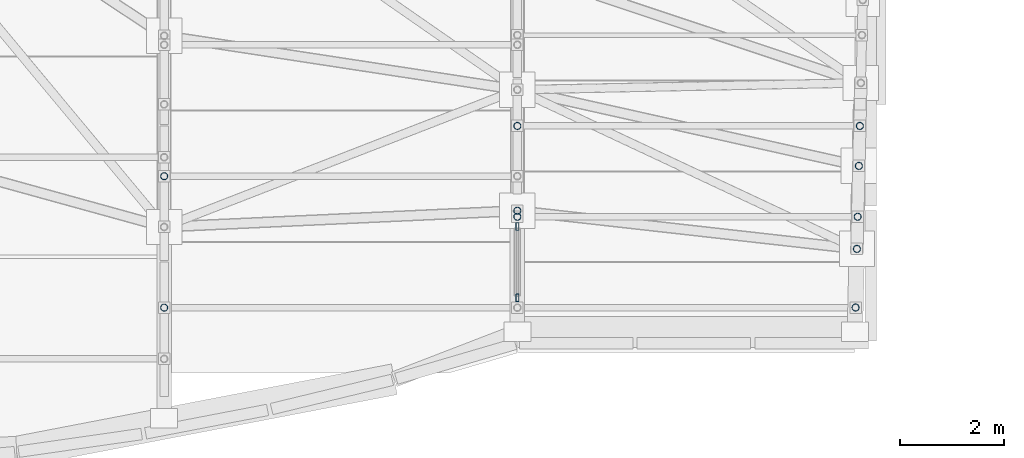
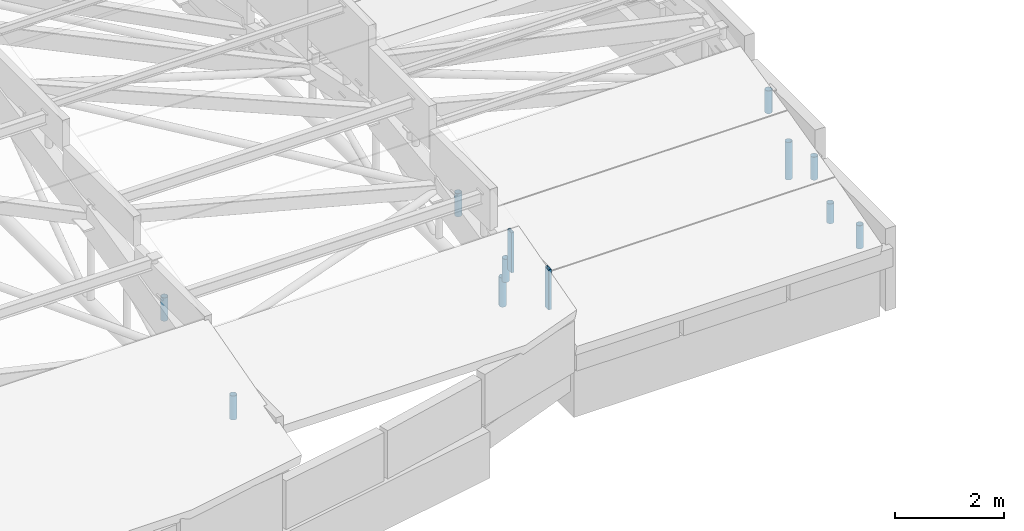
# One storey, part 132 of 188: 12 members, 1 element without a shape of its own.
"""IFC4 building model written with IfcOpenShell, lengths in metres."""

from ifc_helpers import new_model, si_unit, direction, frame, origin, origin_2d, place, context, subcontext, project, spatial, hollow_rectangle, hollow_circle, extrude, material, layer, layer_set, material_profile, profile_set, type_object, element, aggregate, save


model = new_model("IFC4")

# Units and contexts
model_context = context("Model", 3, precision=1e-05, world=origin(), true_north=direction((0.0, 1.0)))
body_context = subcontext(model_context, "Body", "Model", "MODEL_VIEW")
ifc_project = project(units=[si_unit("LENGTHUNIT", "METRE"), si_unit("AREAUNIT", "SQUARE_METRE"), si_unit("VOLUMEUNIT", "CUBIC_METRE"), si_unit("PLANEANGLEUNIT", "RADIAN"), si_unit("MASSUNIT", "GRAM", prefix="KILO")], contexts=[model_context])

# Site, building, storey
site_placement = place(None, origin())
site = spatial("IfcSite", under=ifc_project, at=site_placement, CompositionType="ELEMENT")
building_placement = place(site_placement, origin())
building = spatial("IfcBuilding", under=site, at=building_placement, Name="Kisaragi Civic Commons", CompositionType="ELEMENT")
storey_placement = place(building_placement, frame((0.0, 0.0, 9.60009765625)))
storey = spatial("IfcBuildingStorey", under=building, at=storey_placement, Name="L02", CompositionType="ELEMENT", Elevation=9.60009765625)

# Curtain wall, members
ifc_material_1 = material(Name="Thermally broken anodized aluminium and low-E double glazing", Category="aluminium")
ifc_layer = layer(ifc_material_1, 0.14990234375, Name="Thermally broken anodized aluminium and low-E double glazing", Category="aluminium")
ifc_layer_set = layer_set([ifc_layer], Name="Thermally broken anodized aluminium and low-E double glazing")
curtain_wall_type = type_object("IfcCurtainWallType", Name="CW-03", PredefinedType="NOTDEFINED", material=ifc_layer_set)
curtain_wall_placement = place(storey_placement, origin())
curtain_wall = element("IfcCurtainWall", 1, at=curtain_wall_placement, inside=storey, type_object=curtain_wall_type, Name="L02 curtain wall CW-03 CW-CL-V1-170", PredefinedType="NOTDEFINED")
ifc_material_profile_1 = material_profile(ifc_material_1, hollow_rectangle(XDim=0.06005859375, YDim=0.14990234375, WallThickness=0.00390625, InnerFilletRadius=0.00390625, OuterFilletRadius=0.008056640625, at=origin_2d()), Name="CWM-60x150x4", Category="aluminium")
ifc_profile_set_1 = profile_set([ifc_material_profile_1], Name="Thermally broken anodized aluminium and low-E double glazing")
member_type_1 = type_object("IfcMemberType", Name="CWM-01", PredefinedType="MULLION", material=ifc_profile_set_1)
member_1_placement = place(storey_placement, frame((40.800048828125, 4.675537109375, 0.518310546875), z_axis=(0.0, 0.0, 1.0), x_axis=(-1.0, 0.0, 0.0)))
member_1 = element("IfcMember", 2, at=member_1_placement, type_object=member_type_1, Name="CW-03 mullion 1", PredefinedType="MULLION", context=body_context, shape_type="SweptSolid", body=[
    extrude(hollow_rectangle(XDim=0.06005859375, YDim=0.14990234375, WallThickness=0.00390625, InnerFilletRadius=0.00390625, OuterFilletRadius=0.008056640625, at=origin_2d()), origin(), (0.0, 0.0, 1.0), 0.901611328125),
])
member_2_placement = place(storey_placement, frame((40.800048828125, 6.04638671875, 0.518310546875), z_axis=(0.0, 0.0, 1.0), x_axis=(-1.0, 0.0, 0.0)))
member_2 = element("IfcMember", 3, at=member_2_placement, type_object=member_type_1, Name="CW-03 mullion 2", PredefinedType="MULLION", context=body_context, shape_type="SweptSolid", body=[
    extrude(hollow_rectangle(XDim=0.06005859375, YDim=0.14990234375, WallThickness=0.00390625, InnerFilletRadius=0.00390625, OuterFilletRadius=0.008056640625, at=origin_2d()), origin(), (0.0, 0.0, 1.0), 0.901611328125),
])
aggregate(curtain_wall, [member_1, member_2])

# Members
ifc_material_2 = material(Name="Steel SN490 (SN490B)", Category="steel")
ifc_material_profile_2 = material_profile(ifc_material_2, hollow_circle(Radius=0.06982421875, WallThickness=0.006103515625, at=origin_2d()), Name="CHS-139.8x6.0", Category="steel")
ifc_profile_set_2 = profile_set([ifc_material_profile_2], Name="Steel SN490 (SN490B)")
member_type_2 = type_object("IfcMemberType", Name="ST-H1", PredefinedType="STRUT", material=ifc_profile_set_2)
member_3_placement = place(storey_placement, frame((40.800048828125, 6.35107421875, -0.440673828125), z_axis=(0.0, 0.0, 1.0), x_axis=(1.0, 0.0, 0.0)))
element("IfcMember", 4, at=member_3_placement, inside=storey, type_object=member_type_2, Name="V1 arch tie hanger strut 83", PredefinedType="STRUT", context=body_context, shape_type="SweptSolid", body=[
    extrude(hollow_circle(Radius=0.06982421875, WallThickness=0.006103515625, at=origin_2d()), origin(), (0.0, 0.0, 1.0), 0.65673828125),
])
member_4_placement = place(storey_placement, frame((47.33740234375, 5.617431640625, -0.4111328125), z_axis=(0.0, 0.0, 1.0), x_axis=(1.0, 0.0, 0.0)))
element("IfcMember", 5, at=member_4_placement, inside=storey, type_object=member_type_2, Name="V1 arch tie hanger strut 93", PredefinedType="STRUT", context=body_context, shape_type="SweptSolid", body=[
    extrude(hollow_circle(Radius=0.06982421875, WallThickness=0.006103515625, at=origin_2d()), origin(), (0.0, 0.0, 1.0), 0.44287109375),
])
member_5_placement = place(storey_placement, frame((47.375, 7.215087890625, -0.4111328125), z_axis=(0.0, 0.0, 1.0), x_axis=(1.0, 0.0, 0.0)))
element("IfcMember", 6, at=member_5_placement, inside=storey, type_object=member_type_2, Name="V1 arch tie hanger strut 94", PredefinedType="STRUT", context=body_context, shape_type="SweptSolid", body=[
    extrude(hollow_circle(Radius=0.06982421875, WallThickness=0.006103515625, at=origin_2d()), origin(), (0.0, 0.0, 1.0), 0.842529296875),
])
member_6_placement = place(storey_placement, frame((34.0, 4.485595703125, 0.535400390625), z_axis=(0.0, 0.0, 1.0), x_axis=(1.0, 0.0, 0.0)))
element("IfcMember", 7, at=member_6_placement, inside=storey, type_object=member_type_2, Name="V1 clerestory monitor horizontal tie strut 6.5.1", PredefinedType="STRUT", context=body_context, shape_type="SweptSolid", body=[
    extrude(hollow_circle(Radius=0.06982421875, WallThickness=0.006103515625, at=origin_2d()), origin(), (0.0, 0.0, 1.0), 0.539794921875),
])
member_7_placement = place(storey_placement, frame((34.0, 7.0166015625, 1.220703125), z_axis=(0.0, 0.0, 1.0), x_axis=(1.0, 0.0, 0.0)))
element("IfcMember", 8, at=member_7_placement, inside=storey, type_object=member_type_2, Name="V1 clerestory monitor horizontal tie strut 6.5.2", PredefinedType="STRUT", context=body_context, shape_type="SweptSolid", body=[
    extrude(hollow_circle(Radius=0.06982421875, WallThickness=0.006103515625, at=origin_2d()), origin(), (0.0, 0.0, 1.0), 0.5244140625),
])
member_8_placement = place(storey_placement, frame((47.31103515625, 4.488037109375, -0.281494140625), z_axis=(0.0, 0.0, 1.0), x_axis=(1.0, 0.0, 0.0)))
element("IfcMember", 9, at=member_8_placement, inside=storey, type_object=member_type_2, Name="V1 clerestory monitor horizontal tie strut 7.7.1", PredefinedType="STRUT", context=body_context, shape_type="SweptSolid", body=[
    extrude(hollow_circle(Radius=0.06982421875, WallThickness=0.006103515625, at=origin_2d()), origin(), (0.0, 0.0, 1.0), 0.52099609375),
])
member_9_placement = place(storey_placement, frame((40.800048828125, 6.236328125, 0.18505859375), z_axis=(0.0, 0.0, 1.0), x_axis=(1.0, 0.0, 0.0)))
element("IfcMember", 10, at=member_9_placement, inside=storey, type_object=member_type_2, Name="V1 clerestory monitor horizontal tie strut 7.6.2", PredefinedType="STRUT", context=body_context, shape_type="SweptSolid", body=[
    extrude(hollow_circle(Radius=0.06982421875, WallThickness=0.006103515625, at=origin_2d()), origin(), (0.0, 0.0, 1.0), 0.518310546875),
])
member_10_placement = place(storey_placement, frame((47.35205078125, 6.236328125, 0.1865234375), z_axis=(0.0, 0.0, 1.0), x_axis=(1.0, 0.0, 0.0)))
element("IfcMember", 11, at=member_10_placement, inside=storey, type_object=member_type_2, Name="V1 clerestory monitor horizontal tie strut 7.7.2", PredefinedType="STRUT", context=body_context, shape_type="SweptSolid", body=[
    extrude(hollow_circle(Radius=0.06982421875, WallThickness=0.006103515625, at=origin_2d()), origin(), (0.0, 0.0, 1.0), 0.516845703125),
])
member_11_placement = place(storey_placement, frame((40.800048828125, 7.984619140625, 0.5986328125), z_axis=(0.0, 0.0, 1.0), x_axis=(1.0, 0.0, 0.0)))
element("IfcMember", 12, at=member_11_placement, inside=storey, type_object=member_type_2, Name="V1 clerestory monitor horizontal tie strut 7.6.3", PredefinedType="STRUT", context=body_context, shape_type="SweptSolid", body=[
    extrude(hollow_circle(Radius=0.06982421875, WallThickness=0.006103515625, at=origin_2d()), origin(), (0.0, 0.0, 1.0), 0.519775390625),
])
member_12_placement = place(storey_placement, frame((47.39306640625, 7.984619140625, 0.6044921875), z_axis=(0.0, 0.0, 1.0), x_axis=(1.0, 0.0, 0.0)))
element("IfcMember", 13, at=member_12_placement, inside=storey, type_object=member_type_2, Name="V1 clerestory monitor horizontal tie strut 7.7.3", PredefinedType="STRUT", context=body_context, shape_type="SweptSolid", body=[
    extrude(hollow_circle(Radius=0.06982421875, WallThickness=0.006103515625, at=origin_2d()), origin(), (0.0, 0.0, 1.0), 0.513916015625),
])

save(model, "model.ifc")
